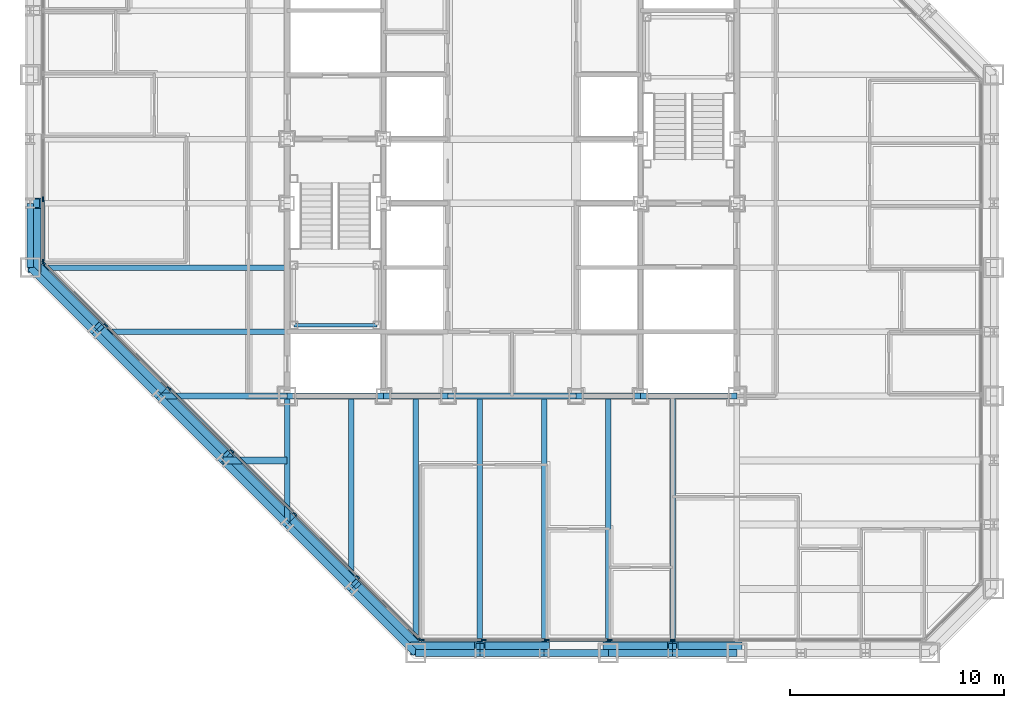
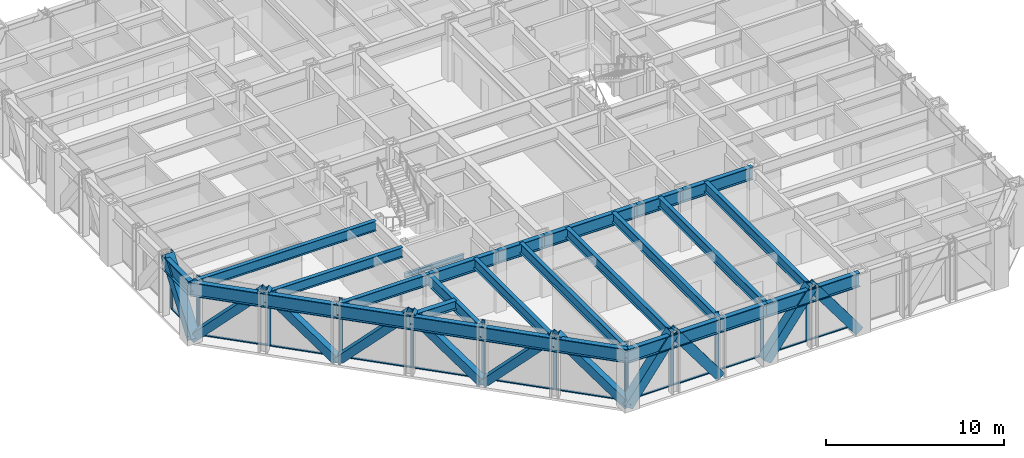
# One storey, part 4 of 16: 37 members, 29 beams, 3 elements without a shape of their own.
"""IFC4 building model written with IfcOpenShell, lengths in metres."""

from ifc_helpers import new_model, si_unit, direction, frame, origin, origin_2d, place, context, subcontext, project, spatial, rectangle, hollow_rectangle, i_section, extrude, material, layer, layer_set, material_profile, profile_set, type_object, element, aggregate, save


model = new_model("IFC4")

# Units and contexts
model_context = context("Model", 3, precision=1e-05, world=origin(), true_north=direction((0.0, 1.0)))
body_context = subcontext(model_context, "Body", "Model", "MODEL_VIEW")
ifc_project = project(units=[si_unit("LENGTHUNIT", "METRE"), si_unit("AREAUNIT", "SQUARE_METRE"), si_unit("VOLUMEUNIT", "CUBIC_METRE"), si_unit("PLANEANGLEUNIT", "RADIAN"), si_unit("MASSUNIT", "GRAM", prefix="KILO")], contexts=[model_context])

# Site, building, storey
site_placement = place(None, origin())
site = spatial("IfcSite", under=ifc_project, at=site_placement, CompositionType="ELEMENT")
building_placement = place(site_placement, origin())
building = spatial("IfcBuilding", under=site, at=building_placement, Name="Chuquiago Exchange Tower", CompositionType="ELEMENT")
storey_placement = place(building_placement, frame((0.0, 0.0, 123.60009765625)))
storey = spatial("IfcBuildingStorey", under=building, at=storey_placement, Name="L26", CompositionType="ELEMENT", Elevation=123.60009765625)

# Beams
ifc_material_1 = material(Name="Steel ASTM A992", Category="steel")
ifc_material_profile_1 = material_profile(ifc_material_1, i_section(OverallWidth=0.25390625, OverallDepth=0.683349609375, WebThickness=0.012451171875, FlangeThickness=0.018798828125, at=origin_2d()), Name="W27X94")
ifc_profile_set_1 = profile_set([ifc_material_profile_1], Name="Steel ASTM A992")
beam_type_1 = type_object("IfcBeamType", Name="B1 W27X94", PredefinedType="BEAM", material=ifc_profile_set_1)
beam_1_placement = place(storey_placement, frame((15.0, 12.0, 3.6982421875), z_axis=(0.0, -1.0, 0.0), x_axis=(1.0, 0.0, 0.0)))
element("IfcBeam", 1, at=beam_1_placement, inside=storey, type_object=beam_type_1, Name="FB-L27-infill-15_12-15_3-0", PredefinedType="BEAM", context=body_context, shape_type="SweptSolid", body=[
    extrude(i_section(OverallWidth=0.25390625, OverallDepth=0.683349609375, WebThickness=0.012451171875, FlangeThickness=0.018798828125, at=origin_2d()), origin(), (0.0, 0.0, 1.0), 9.0),
])
for number, where, z_axis, x_axis, name in (
    (2, (18.0, 12.0, 3.6982421875), (0.0, -1.0, 0.0), (1.0, 0.0, 0.0), "FB-L27-infill-18_12-18_-0-0"),
    (3, (21.0, 12.0, 3.6982421875), (0.0, -1.0, 0.0), (1.0, 0.0, 0.0), "FB-L27-infill-21_12-21_-0-0"),
    (4, (24.0, 12.0, 3.6982421875), (0.0, -1.0, 0.0), (1.0, 0.0, 0.0), "FB-L27-infill-24_12-24_-0-0"),
    (5, (27.0, 12.0, 3.6982421875), (0.0, -1.0, 0.0), (1.0, 0.0, 0.0), "FB-L27-infill-27_12-27_-0-0"),
    (6, (30.0, 12.0, 3.6982421875), (0.0, -1.0, 0.0), (1.0, 0.0, 0.0), "FB-L27-infill-30_12-30_-0-0"),
):
    element("IfcBeam", number, at=place(storey_placement, frame(where, z_axis=z_axis, x_axis=x_axis)), inside=storey, type_object=beam_type_1, Name=name, PredefinedType="BEAM", context=body_context, shape_type="SweptSolid", body=[
        extrude(i_section(OverallWidth=0.25390625, OverallDepth=0.683349609375, WebThickness=0.012451171875, FlangeThickness=0.018798828125, at=origin_2d()), origin(), (0.0, 0.0, 1.0), 12.0),
    ])
beam_2_placement = place(storey_placement, frame((12.0, 15.0, 3.6982421875), z_axis=(-1.0, 0.0, 0.0), x_axis=(0.0, -1.0, 0.0)))
element("IfcBeam", 7, at=beam_2_placement, inside=storey, type_object=beam_type_1, Name="FB-L27-infill-12_15-3_15-0", PredefinedType="BEAM", context=body_context, shape_type="SweptSolid", body=[
    extrude(i_section(OverallWidth=0.25390625, OverallDepth=0.683349609375, WebThickness=0.012451171875, FlangeThickness=0.018798828125, at=origin_2d()), origin(), (0.0, 0.0, 1.0), 9.0),
])
beam_3_placement = place(storey_placement, frame((12.0, 18.0, 3.6982421875), z_axis=(-1.0, 0.0, 0.0), x_axis=(0.0, -1.0, 0.0)))
element("IfcBeam", 8, at=beam_3_placement, inside=storey, type_object=beam_type_1, Name="FB-L27-infill-12_18--0_18-0", PredefinedType="BEAM", context=body_context, shape_type="SweptSolid", body=[
    extrude(i_section(OverallWidth=0.25390625, OverallDepth=0.683349609375, WebThickness=0.012451171875, FlangeThickness=0.018798828125, at=origin_2d()), origin(), (0.0, 0.0, 1.0), 12.0),
])
ifc_material_2 = material(Name="Steel ASTM A992", Category="steel")
ifc_material_profile_2 = material_profile(ifc_material_2, i_section(OverallWidth=0.3251953125, OverallDepth=0.612060546875, WebThickness=0.0126953125, FlangeThickness=0.01904296875, at=origin_2d()), Name="W24X104")
ifc_profile_set_2 = profile_set([ifc_material_profile_2], Name="Steel ASTM A992")
beam_type_2 = type_object("IfcBeamType", Name="B2 W24X104", PredefinedType="BEAM", material=ifc_profile_set_2)
beam_4_placement = place(storey_placement, frame((12.0, 9.0, 3.73388671875), z_axis=(-1.0, 0.0, 0.0), x_axis=(0.0, -1.0, 0.0)))
element("IfcBeam", 9, at=beam_4_placement, inside=storey, type_object=beam_type_2, Name="FB-L27-corner-12_9-9_9-0", PredefinedType="BEAM", context=body_context, shape_type="SweptSolid", body=[
    extrude(i_section(OverallWidth=0.3251953125, OverallDepth=0.612060546875, WebThickness=0.0126953125, FlangeThickness=0.01904296875, at=origin_2d()), origin(), (0.0, 0.0, 1.0), 3.0),
])
ifc_material_3 = material(Name="Steel ASTM A992", Category="steel")
ifc_material_profile_3 = material_profile(ifc_material_3, i_section(OverallWidth=0.2919921875, OverallDepth=0.8583984375, WebThickness=0.01708984375, FlangeThickness=0.031005859375, at=origin_2d()), Name="W33X169")
ifc_profile_set_3 = profile_set([ifc_material_profile_3], Name="Steel ASTM A992")
beam_type_3 = type_object("IfcBeamType", Name="B3 W33X169", PredefinedType="BEAM", material=ifc_profile_set_3)
beam_5_placement = place(storey_placement, frame((12.0, 12.0, 3.610595703125), z_axis=(1.0, 0.0, 0.0), x_axis=(0.0, 1.0, 0.0)))
element("IfcBeam", 10, at=beam_5_placement, inside=storey, type_object=beam_type_3, Name="CB-L27-12_12-16.5_12", PredefinedType="BEAM", context=body_context, shape_type="SweptSolid", body=[
    extrude(i_section(OverallWidth=0.2919921875, OverallDepth=0.8583984375, WebThickness=0.01708984375, FlangeThickness=0.031005859375, at=origin_2d()), origin(), (0.0, 0.0, 1.0), 4.5),
])
beam_6_placement = place(storey_placement, frame((16.5, 12.0, 3.610595703125), z_axis=(1.0, 0.0, 0.0), x_axis=(0.0, 1.0, 0.0)))
element("IfcBeam", 11, at=beam_6_placement, inside=storey, type_object=beam_type_3, Name="CB-L27-16.5_12-19.5_12", PredefinedType="BEAM", context=body_context, shape_type="SweptSolid", body=[
    extrude(i_section(OverallWidth=0.2919921875, OverallDepth=0.8583984375, WebThickness=0.01708984375, FlangeThickness=0.031005859375, at=origin_2d()), origin(), (0.0, 0.0, 1.0), 3.0),
])
beam_7_placement = place(storey_placement, frame((19.5, 12.0, 3.610595703125), z_axis=(1.0, 0.0, 0.0), x_axis=(0.0, 1.0, 0.0)))
element("IfcBeam", 12, at=beam_7_placement, inside=storey, type_object=beam_type_3, Name="CB-L27-19.5_12-25.5_12", PredefinedType="BEAM", context=body_context, shape_type="SweptSolid", body=[
    extrude(i_section(OverallWidth=0.2919921875, OverallDepth=0.8583984375, WebThickness=0.01708984375, FlangeThickness=0.031005859375, at=origin_2d()), origin(), (0.0, 0.0, 1.0), 6.0),
])
beam_8_placement = place(storey_placement, frame((25.5, 12.0, 3.610595703125), z_axis=(1.0, 0.0, 0.0), x_axis=(0.0, 1.0, 0.0)))
element("IfcBeam", 13, at=beam_8_placement, inside=storey, type_object=beam_type_3, Name="CB-L27-25.5_12-28.5_12", PredefinedType="BEAM", context=body_context, shape_type="SweptSolid", body=[
    extrude(i_section(OverallWidth=0.2919921875, OverallDepth=0.8583984375, WebThickness=0.01708984375, FlangeThickness=0.031005859375, at=origin_2d()), origin(), (0.0, 0.0, 1.0), 3.0),
])
beam_9_placement = place(storey_placement, frame((28.5, 12.0, 3.610595703125), z_axis=(1.0, 0.0, 0.0), x_axis=(0.0, 1.0, 0.0)))
element("IfcBeam", 14, at=beam_9_placement, inside=storey, type_object=beam_type_3, Name="CB-L27-28.5_12-33_12", PredefinedType="BEAM", context=body_context, shape_type="SweptSolid", body=[
    extrude(i_section(OverallWidth=0.2919921875, OverallDepth=0.8583984375, WebThickness=0.01708984375, FlangeThickness=0.031005859375, at=origin_2d()), origin(), (0.0, 0.0, 1.0), 4.5),
])

# Curtain wall, members
ifc_material_4 = material(Name="Aluminium curtain wall system", Category="aluminium")
ifc_layer_1 = layer(ifc_material_4, 0.22509765625)
ifc_layer_set_1 = layer_set([ifc_layer_1], Name="CW2 office curtain wall")
curtain_wall_type_1 = type_object("IfcCurtainWallType", Name="CW2 office curtain wall", PredefinedType="NOTDEFINED", material=ifc_layer_set_1)
curtain_wall_1_placement = place(storey_placement, origin())
curtain_wall_1 = element("IfcCurtainWall", 15, at=curtain_wall_1_placement, inside=storey, type_object=curtain_wall_type_1, Name="CW2 curtain wall L26", PredefinedType="NOTDEFINED")
ifc_material_5 = material(Name="Aluminium mullion, pale anodised", Category="aluminium")
ifc_material_profile_4 = material_profile(ifc_material_5, rectangle(XDim=0.06494140625, YDim=0.22509765625, at=origin_2d()), Name="AL 65x225")
ifc_profile_set_4 = profile_set([ifc_material_profile_4], Name="Aluminium mullion, pale anodised")
member_type_1 = type_object("IfcMemberType", Name="CW2-M mullion 65x225", PredefinedType="MULLION", material=ifc_profile_set_4)
member_1_placement = place(storey_placement, frame((18.281005859375, 0.60009765625, 0.0), z_axis=(0.0, 0.0, 1.0), x_axis=(0.0, 1.0, 0.0)))
member_1 = element("IfcMember", 16, at=member_1_placement, type_object=member_type_1, Name="CW2 mullion 1", PredefinedType="MULLION", context=body_context, shape_type="SweptSolid", body=[
    extrude(rectangle(XDim=0.06494140625, YDim=0.22509765625, at=origin_2d()), origin(), (0.0, 0.0, 1.0), 4.039794921875),
])
member_2_placement = place(storey_placement, frame((21.186279296875, 0.60009765625, 0.0), z_axis=(0.0, 0.0, 1.0), x_axis=(0.0, 1.0, 0.0)))
member_2 = element("IfcMember", 17, at=member_2_placement, type_object=member_type_1, Name="CW2 mullion 2", PredefinedType="MULLION", context=body_context, shape_type="SweptSolid", body=[
    extrude(rectangle(XDim=0.06494140625, YDim=0.22509765625, at=origin_2d()), origin(), (0.0, 0.0, 1.0), 4.039794921875),
])
member_3_placement = place(storey_placement, frame((24.124267578125, 0.60009765625, 0.0), z_axis=(0.0, 0.0, 1.0), x_axis=(0.0, 1.0, 0.0)))
member_3 = element("IfcMember", 18, at=member_3_placement, type_object=member_type_1, Name="CW2 mullion 3", PredefinedType="MULLION", context=body_context, shape_type="SweptSolid", body=[
    extrude(rectangle(XDim=0.06494140625, YDim=0.22509765625, at=origin_2d()), origin(), (0.0, 0.0, 1.0), 4.039794921875),
])
member_4_placement = place(storey_placement, frame((27.06201171875, 0.60009765625, 0.0), z_axis=(0.0, 0.0, 1.0), x_axis=(0.0, 1.0, 0.0)))
member_4 = element("IfcMember", 19, at=member_4_placement, type_object=member_type_1, Name="CW2 mullion 4", PredefinedType="MULLION", context=body_context, shape_type="SweptSolid", body=[
    extrude(rectangle(XDim=0.06494140625, YDim=0.22509765625, at=origin_2d()), origin(), (0.0, 0.0, 1.0), 4.039794921875),
])
member_5_placement = place(storey_placement, frame((30.0, 0.60009765625, 0.0), z_axis=(0.0, 0.0, 1.0), x_axis=(0.0, 1.0, 0.0)))
member_5 = element("IfcMember", 20, at=member_5_placement, type_object=member_type_1, Name="CW2 mullion 5", PredefinedType="MULLION", context=body_context, shape_type="SweptSolid", body=[
    extrude(rectangle(XDim=0.06494140625, YDim=0.22509765625, at=origin_2d()), origin(), (0.0, 0.0, 1.0), 4.039794921875),
])

curtain_wall_2_placement = place(storey_placement, origin())
curtain_wall_2 = element("IfcCurtainWall", 21, at=curtain_wall_2_placement, inside=storey, type_object=curtain_wall_type_1, Name="CW2 curtain wall L26", PredefinedType="NOTDEFINED")
member_6_placement = place(storey_placement, frame((0.60009765625, 21.186279296875, 0.0), z_axis=(0.0, 0.0, 1.0), x_axis=(1.0, 0.0, 0.0)))
member_6 = element("IfcMember", 22, at=member_6_placement, type_object=member_type_1, Name="CW2 mullion 8", PredefinedType="MULLION", context=body_context, shape_type="SweptSolid", body=[
    extrude(rectangle(XDim=0.06494140625, YDim=0.22509765625, at=origin_2d()), origin(), (0.0, 0.0, 1.0), 4.039794921875),
])
member_7_placement = place(storey_placement, frame((0.60009765625, 18.281005859375, 0.0), z_axis=(0.0, 0.0, 1.0), x_axis=(1.0, 0.0, 0.0)))
member_7 = element("IfcMember", 23, at=member_7_placement, type_object=member_type_1, Name="CW2 mullion 9", PredefinedType="MULLION", context=body_context, shape_type="SweptSolid", body=[
    extrude(rectangle(XDim=0.06494140625, YDim=0.22509765625, at=origin_2d()), origin(), (0.0, 0.0, 1.0), 4.039794921875),
])

# Member
ifc_material_6 = material(Name="Aluminium transom, pale anodised", Category="aluminium")
ifc_material_profile_5 = material_profile(ifc_material_6, rectangle(XDim=0.139892578125, YDim=0.06494140625, at=origin_2d()), Name="AL 140x65")
ifc_profile_set_5 = profile_set([ifc_material_profile_5], Name="Aluminium transom, pale anodised")
member_type_2 = type_object("IfcMemberType", Name="CW2-T transom 65x140", PredefinedType="MULLION", material=ifc_profile_set_5)
member_8_placement = place(storey_placement, frame((18.3134765625, 0.60009765625, 0.032470703125), z_axis=(1.0, 0.0, 0.0), x_axis=(0.0, 1.0, 0.0)))
member_8 = element("IfcMember", 24, at=member_8_placement, type_object=member_type_2, Name="CW2 transom 1.1", PredefinedType="MULLION", context=body_context, shape_type="SweptSolid", body=[
    extrude(rectangle(XDim=0.139892578125, YDim=0.06494140625, at=origin_2d()), origin(), (0.0, 0.0, 1.0), 2.84033203125),
])

member_9_placement = place(storey_placement, frame((21.218994140625, 0.60009765625, 0.032470703125), z_axis=(1.0, 0.0, 0.0), x_axis=(0.0, 1.0, 0.0)))
member_9 = element("IfcMember", 25, at=member_9_placement, type_object=member_type_2, Name="CW2 transom 2.1", PredefinedType="MULLION", context=body_context, shape_type="SweptSolid", body=[
    extrude(rectangle(XDim=0.139892578125, YDim=0.06494140625, at=origin_2d()), origin(), (0.0, 0.0, 1.0), 2.872802734375),
])

member_10_placement = place(storey_placement, frame((24.15673828125, 0.60009765625, 0.032470703125), z_axis=(1.0, 0.0, 0.0), x_axis=(0.0, 1.0, 0.0)))
member_10 = element("IfcMember", 26, at=member_10_placement, type_object=member_type_2, Name="CW2 transom 3.1", PredefinedType="MULLION", context=body_context, shape_type="SweptSolid", body=[
    extrude(rectangle(XDim=0.139892578125, YDim=0.06494140625, at=origin_2d()), origin(), (0.0, 0.0, 1.0), 2.872802734375),
])

member_11_placement = place(storey_placement, frame((27.0947265625, 0.60009765625, 0.032470703125), z_axis=(1.0, 0.0, 0.0), x_axis=(0.0, 1.0, 0.0)))
member_11 = element("IfcMember", 27, at=member_11_placement, type_object=member_type_2, Name="CW2 transom 4.1", PredefinedType="MULLION", context=body_context, shape_type="SweptSolid", body=[
    extrude(rectangle(XDim=0.139892578125, YDim=0.06494140625, at=origin_2d()), origin(), (0.0, 0.0, 1.0), 2.872802734375),
])

member_12_placement = place(storey_placement, frame((30.032470703125, 0.60009765625, 0.032470703125), z_axis=(1.0, 0.0, 0.0), x_axis=(0.0, 1.0, 0.0)))
member_12 = element("IfcMember", 28, at=member_12_placement, type_object=member_type_2, Name="CW2 transom 5.1", PredefinedType="MULLION", context=body_context, shape_type="SweptSolid", body=[
    extrude(rectangle(XDim=0.139892578125, YDim=0.06494140625, at=origin_2d()), origin(), (0.0, 0.0, 1.0), 2.872802734375),
])

aggregate(curtain_wall_1, [member_1, member_2, member_3, member_4, member_5, member_8, member_9, member_10, member_11, member_12])

member_13_placement = place(storey_placement, frame((0.60009765625, 21.15380859375, 0.032470703125), z_axis=(0.0, -1.0, 0.0), x_axis=(1.0, 0.0, 0.0)))
member_13 = element("IfcMember", 29, at=member_13_placement, type_object=member_type_2, Name="CW2 transom 8.1", PredefinedType="MULLION", context=body_context, shape_type="SweptSolid", body=[
    extrude(rectangle(XDim=0.139892578125, YDim=0.06494140625, at=origin_2d()), origin(), (0.0, 0.0, 1.0), 2.84033203125),
])

aggregate(curtain_wall_2, [member_6, member_7, member_13])

# Curtain wall, members
ifc_material_7 = material(Name="Aluminium curtain wall system", Category="aluminium")
ifc_layer_2 = layer(ifc_material_7, 0.199951171875)
ifc_layer_set_2 = layer_set([ifc_layer_2], Name="CW3 facet curtain wall")
curtain_wall_type_2 = type_object("IfcCurtainWallType", Name="CW3 facet curtain wall", PredefinedType="NOTDEFINED", material=ifc_layer_set_2)
curtain_wall_3_placement = place(storey_placement, origin())
curtain_wall_3 = element("IfcCurtainWall", 30, at=curtain_wall_3_placement, inside=storey, type_object=curtain_wall_type_2, Name="CW3 curtain wall L26", PredefinedType="NOTDEFINED")
ifc_material_8 = material(Name="Aluminium mullion, pale anodised", Category="aluminium")
ifc_material_profile_6 = material_profile(ifc_material_8, rectangle(XDim=0.06494140625, YDim=0.199951171875, at=origin_2d()), Name="AL 65x200")
ifc_profile_set_6 = profile_set([ifc_material_profile_6], Name="Aluminium mullion, pale anodised")
member_type_3 = type_object("IfcMemberType", Name="CW3-M mullion 65x200", PredefinedType="MULLION", material=ifc_profile_set_6)
member_14_placement = place(storey_placement, frame((0.623046875, 18.2255859375, 0.0), z_axis=(0.0, 0.0, 1.0), x_axis=(0.707106781187, 0.707106781187, 0.0)))
member_14 = element("IfcMember", 31, at=member_14_placement, type_object=member_type_3, Name="CW3 mullion 1", PredefinedType="MULLION", context=body_context, shape_type="SweptSolid", body=[
    extrude(rectangle(XDim=0.06494140625, YDim=0.199951171875, at=origin_2d()), origin(), (0.0, 0.0, 1.0), 4.039794921875),
])
member_15_placement = place(storey_placement, frame((3.54150390625, 15.30712890625, 0.0), z_axis=(0.0, 0.0, 1.0), x_axis=(0.707106781187, 0.707106781187, 0.0)))
member_15 = element("IfcMember", 32, at=member_15_placement, type_object=member_type_3, Name="CW3 mullion 2", PredefinedType="MULLION", context=body_context, shape_type="SweptSolid", body=[
    extrude(rectangle(XDim=0.06494140625, YDim=0.199951171875, at=origin_2d()), origin(), (0.0, 0.0, 1.0), 4.039794921875),
])
member_16_placement = place(storey_placement, frame((6.48291015625, 12.36572265625, 0.0), z_axis=(0.0, 0.0, 1.0), x_axis=(0.707106781187, 0.707106781187, 0.0)))
member_16 = element("IfcMember", 33, at=member_16_placement, type_object=member_type_3, Name="CW3 mullion 3", PredefinedType="MULLION", context=body_context, shape_type="SweptSolid", body=[
    extrude(rectangle(XDim=0.06494140625, YDim=0.199951171875, at=origin_2d()), origin(), (0.0, 0.0, 1.0), 4.039794921875),
])
member_17_placement = place(storey_placement, frame((9.42431640625, 9.42431640625, 0.0), z_axis=(0.0, 0.0, 1.0), x_axis=(0.707106781187, 0.707106781187, 0.0)))
member_17 = element("IfcMember", 34, at=member_17_placement, type_object=member_type_3, Name="CW3 mullion 4", PredefinedType="MULLION", context=body_context, shape_type="SweptSolid", body=[
    extrude(rectangle(XDim=0.06494140625, YDim=0.199951171875, at=origin_2d()), origin(), (0.0, 0.0, 1.0), 4.039794921875),
])
member_18_placement = place(storey_placement, frame((12.36572265625, 6.48291015625, 0.0), z_axis=(0.0, 0.0, 1.0), x_axis=(0.707106781187, 0.707106781187, 0.0)))
member_18 = element("IfcMember", 35, at=member_18_placement, type_object=member_type_3, Name="CW3 mullion 5", PredefinedType="MULLION", context=body_context, shape_type="SweptSolid", body=[
    extrude(rectangle(XDim=0.06494140625, YDim=0.199951171875, at=origin_2d()), origin(), (0.0, 0.0, 1.0), 4.039794921875),
])
member_19_placement = place(storey_placement, frame((15.30712890625, 3.54150390625, 0.0), z_axis=(0.0, 0.0, 1.0), x_axis=(0.707106781187, 0.707106781187, 0.0)))
member_19 = element("IfcMember", 36, at=member_19_placement, type_object=member_type_3, Name="CW3 mullion 6", PredefinedType="MULLION", context=body_context, shape_type="SweptSolid", body=[
    extrude(rectangle(XDim=0.06494140625, YDim=0.199951171875, at=origin_2d()), origin(), (0.0, 0.0, 1.0), 4.039794921875),
])
member_20_placement = place(storey_placement, frame((18.2255859375, 0.623046875, 0.0), z_axis=(0.0, 0.0, 1.0), x_axis=(0.707106781187, 0.707106781187, 0.0)))
member_20 = element("IfcMember", 37, at=member_20_placement, type_object=member_type_3, Name="CW3 mullion 7", PredefinedType="MULLION", context=body_context, shape_type="SweptSolid", body=[
    extrude(rectangle(XDim=0.06494140625, YDim=0.199951171875, at=origin_2d()), origin(), (0.0, 0.0, 1.0), 4.039794921875),
])
ifc_material_9 = material(Name="Aluminium transom, pale anodised", Category="aluminium")
ifc_material_profile_7 = material_profile(ifc_material_9, rectangle(XDim=0.139892578125, YDim=0.06494140625, at=origin_2d()), Name="AL 140x65")
ifc_profile_set_7 = profile_set([ifc_material_profile_7], Name="Aluminium transom, pale anodised")
member_type_4 = type_object("IfcMemberType", Name="CW3-T transom 65x140", PredefinedType="MULLION", material=ifc_profile_set_7)
member_21_placement = place(storey_placement, frame((0.64599609375, 18.20263671875, 0.032470703125), z_axis=(0.707106781187, -0.707106781187, 0.0), x_axis=(0.707106781187, 0.707106781187, 0.0)))
member_21 = element("IfcMember", 38, at=member_21_placement, type_object=member_type_4, Name="CW3 transom 1.1", PredefinedType="MULLION", context=body_context, shape_type="SweptSolid", body=[
    extrude(rectangle(XDim=0.139892578125, YDim=0.06494140625, at=origin_2d()), origin(), (0.0, 0.0, 1.0), 4.0625),
])
member_22_placement = place(storey_placement, frame((3.564453125, 15.2841796875, 0.032470703125), z_axis=(0.707106781187, -0.707106781187, 0.0), x_axis=(0.707106781187, 0.707106781187, 0.0)))
member_22 = element("IfcMember", 39, at=member_22_placement, type_object=member_type_4, Name="CW3 transom 2.1", PredefinedType="MULLION", context=body_context, shape_type="SweptSolid", body=[
    extrude(rectangle(XDim=0.139892578125, YDim=0.06494140625, at=origin_2d()), origin(), (0.0, 0.0, 1.0), 4.094970703125),
])
member_23_placement = place(storey_placement, frame((6.505859375, 12.3427734375, 0.032470703125), z_axis=(0.707106781187, -0.707106781187, 0.0), x_axis=(0.707106781187, 0.707106781187, 0.0)))
member_23 = element("IfcMember", 40, at=member_23_placement, type_object=member_type_4, Name="CW3 transom 3.1", PredefinedType="MULLION", context=body_context, shape_type="SweptSolid", body=[
    extrude(rectangle(XDim=0.139892578125, YDim=0.06494140625, at=origin_2d()), origin(), (0.0, 0.0, 1.0), 4.094970703125),
])
member_24_placement = place(storey_placement, frame((9.447265625, 9.4013671875, 0.032470703125), z_axis=(0.707106781187, -0.707106781187, 0.0), x_axis=(0.707106781187, 0.707106781187, 0.0)))
member_24 = element("IfcMember", 41, at=member_24_placement, type_object=member_type_4, Name="CW3 transom 4.1", PredefinedType="MULLION", context=body_context, shape_type="SweptSolid", body=[
    extrude(rectangle(XDim=0.139892578125, YDim=0.06494140625, at=origin_2d()), origin(), (0.0, 0.0, 1.0), 4.094970703125),
])
member_25_placement = place(storey_placement, frame((12.388671875, 6.4599609375, 0.032470703125), z_axis=(0.707106781187, -0.707106781187, 0.0), x_axis=(0.707106781187, 0.707106781187, 0.0)))
member_25 = element("IfcMember", 42, at=member_25_placement, type_object=member_type_4, Name="CW3 transom 5.1", PredefinedType="MULLION", context=body_context, shape_type="SweptSolid", body=[
    extrude(rectangle(XDim=0.139892578125, YDim=0.06494140625, at=origin_2d()), origin(), (0.0, 0.0, 1.0), 4.094970703125),
])
member_26_placement = place(storey_placement, frame((15.330078125, 3.5185546875, 0.032470703125), z_axis=(0.707106781187, -0.707106781187, 0.0), x_axis=(0.707106781187, 0.707106781187, 0.0)))
member_26 = element("IfcMember", 43, at=member_26_placement, type_object=member_type_4, Name="CW3 transom 6.1", PredefinedType="MULLION", context=body_context, shape_type="SweptSolid", body=[
    extrude(rectangle(XDim=0.139892578125, YDim=0.06494140625, at=origin_2d()), origin(), (0.0, 0.0, 1.0), 4.0625),
])
aggregate(curtain_wall_3, [member_14, member_15, member_16, member_17, member_18, member_19, member_20, member_21, member_22, member_23, member_24, member_25, member_26])

# Beams
ifc_material_10 = material(Name="Steel ASTM A992", Category="steel")
ifc_material_profile_8 = material_profile(ifc_material_10, i_section(OverallWidth=0.2666015625, OverallDepth=0.76953125, WebThickness=0.015625, FlangeThickness=0.025390625, at=origin_2d()), Name="W30X132")
ifc_profile_set_8 = profile_set([ifc_material_profile_8], Name="Steel ASTM A992")
beam_type_4 = type_object("IfcBeamType", Name="G1 W30X132", PredefinedType="BEAM", material=ifc_profile_set_8)
for number, where, z_axis, x_axis, name in (
    (44, (12.0, 12.0, 3.655029296875), (0.0, -1.0, 0.0), (1.0, 0.0, 0.0), "FB-L27-girder-12_12-12_6-0"),
    (45, (12.0, 12.0, 3.655029296875), (-1.0, 0.0, 0.0), (0.0, -1.0, 0.0), "FB-L27-girder-12_12-6_12-0"),
):
    element("IfcBeam", number, at=place(storey_placement, frame(where, z_axis=z_axis, x_axis=x_axis)), inside=storey, type_object=beam_type_4, Name=name, PredefinedType="BEAM", context=body_context, shape_type="SweptSolid", body=[
        extrude(i_section(OverallWidth=0.2666015625, OverallDepth=0.76953125, WebThickness=0.015625, FlangeThickness=0.025390625, at=origin_2d()), origin(), (0.0, 0.0, 1.0), 6.0),
    ])

# Members
ifc_material_11 = material(Name="Steel ASTM A500 Grade C", Category="steel")
ifc_material_profile_9 = material_profile(ifc_material_11, hollow_rectangle(XDim=0.508056640625, YDim=0.508056640625, WallThickness=0.017822265625, at=origin_2d()), Name="HSS20X20X3/4")
ifc_profile_set_9 = profile_set([ifc_material_profile_9], Name="Steel ASTM A500 Grade C")
member_type_5 = type_object("IfcMemberType", Name="LB1 HSS20X20X3/4", PredefinedType="BRACE", material=ifc_profile_set_9)
for number, where, z_axis, x_axis, name in (
    (46, (0.177490234375, 18.177490234375, 0.0), (0.51209198167, -0.51209198167, 0.689582195694), (0.707106781187, 0.707106781187, 0.0), "LB-L26-0_18-3_15"),
    (47, (6.177490234375, 12.177490234375, 0.0), (-0.51209198167, 0.51209198167, 0.689582195694), (-0.707106781187, -0.707106781187, 0.0), "LB-L26-3_15-6_12"),
    (48, (6.177490234375, 12.177490234375, 0.0), (0.51209198167, -0.51209198167, 0.689582195694), (0.707106781187, 0.707106781187, 0.0), "LB-L26-6_12-9_9"),
    (49, (12.177490234375, 6.177490234375, 0.0), (-0.51209198167, 0.51209198167, 0.689582195694), (-0.707106781187, -0.707106781187, 0.0), "LB-L26-9_9-12_6"),
    (50, (12.177490234375, 6.177490234375, 0.0), (0.51209198167, -0.51209198167, 0.689582195694), (0.707106781187, 0.707106781187, 0.0), "LB-L26-12_6-15_3"),
    (51, (18.177490234375, 0.177490234375, 0.0), (-0.51209198167, 0.51209198167, 0.689582195694), (-0.707106781187, -0.707106781187, 0.0), "LB-L26-15_3-18_0"),
):
    element("IfcMember", number, at=place(storey_placement, frame(where, z_axis=z_axis, x_axis=x_axis)), inside=storey, type_object=member_type_5, Name=name, PredefinedType="BRACE", context=body_context, shape_type="SweptSolid", body=[
        extrude(hollow_rectangle(XDim=0.508056640625, YDim=0.508056640625, WallThickness=0.017822265625, at=origin_2d()), origin(), (0.0, 0.0, 1.0), 5.8583984375),
    ])

# Beam
ifc_material_12 = material(Name="Steel ASTM A992", Category="steel")
ifc_material_profile_10 = material_profile(ifc_material_12, i_section(OverallWidth=0.164794921875, OverallDepth=0.309814453125, WebThickness=0.005859375, FlangeThickness=0.009765625, at=origin_2d()), Name="W12X26")
ifc_profile_set_10 = profile_set([ifc_material_profile_10], Name="Steel ASTM A992")
beam_type_5 = type_object("IfcBeamType", Name="LT1 W12X26", PredefinedType="BEAM", material=ifc_profile_set_10)
beam_10_placement = place(storey_placement, frame((12.31005859375, 15.31005859375, 1.7451171875), z_axis=(1.0, 0.0, 0.0), x_axis=(0.0, 1.0, 0.0)))
element("IfcBeam", 52, at=beam_10_placement, inside=storey, type_object=beam_type_5, Name="Stair ST1 L26 landing 1 trimmer", PredefinedType="BEAM", context=body_context, shape_type="SweptSolid", body=[
    extrude(i_section(OverallWidth=0.164794921875, OverallDepth=0.309814453125, WebThickness=0.005859375, FlangeThickness=0.009765625, at=origin_2d()), origin(), (0.0, 0.0, 1.0), 3.8798828125),
])

# Members
ifc_material_13 = material(Name="Steel ASTM A572 Grade 50", Category="steel")
ifc_material_profile_11 = material_profile(ifc_material_13, hollow_rectangle(XDim=0.60009765625, YDim=0.60009765625, WallThickness=0.06005859375, at=origin_2d()), Name="BOX600X600X60")
ifc_profile_set_11 = profile_set([ifc_material_profile_11], Name="Steel ASTM A572 Grade 50")
member_type_6 = type_object("IfcMemberType", Name="MB2 BOX600X600X60", PredefinedType="BRACE", material=ifc_profile_set_11)
for number, where, z_axis, x_axis, name in (
    (53, (18.0, 0.205078125, 0.0), (0.596197146086, 0.0, 0.802838067732), (0.0, 1.0, 0.0), "Mega diagonal L26 S face"),
    (54, (24.0, 0.205078125, 0.0), (-0.596197146086, 0.0, 0.802838067732), (0.0, -1.0, 0.0), "Mega diagonal L26 S face"),
    (55, (27.0, 0.205078125, 0.0), (0.596197146086, 0.0, 0.802838067732), (0.0, 1.0, 0.0), "Mega diagonal L26 S face"),
    (56, (33.0, 0.205078125, 0.0), (-0.596197146086, 0.0, 0.802838067732), (0.0, -1.0, 0.0), "Mega diagonal L26 S face"),
    (57, (0.205078125, 18.0, 0.0), (0.0, 0.596197146086, 0.802838067732), (-1.0, 0.0, 0.0), "Mega diagonal L26 W face"),
):
    element("IfcMember", number, at=place(storey_placement, frame(where, z_axis=z_axis, x_axis=x_axis)), inside=storey, type_object=member_type_6, Name=name, PredefinedType="BRACE", context=body_context, shape_type="SweptSolid", body=[
        extrude(hollow_rectangle(XDim=0.60009765625, YDim=0.60009765625, WallThickness=0.06005859375, at=origin_2d()), origin(), (0.0, 0.0, 1.0), 5.031982421875),
    ])

# Beams
ifc_material_14 = material(Name="Steel ASTM A992", Category="steel")
ifc_material_profile_12 = material_profile(ifc_material_14, i_section(OverallWidth=0.309814453125, OverallDepth=0.949951171875, WebThickness=0.0244140625, FlangeThickness=0.0439453125, at=origin_2d()), Name="W36X256")
ifc_profile_set_12 = profile_set([ifc_material_profile_12], Name="Steel ASTM A992")
beam_type_6 = type_object("IfcBeamType", Name="SP2 W36X256", PredefinedType="SPANDREL", material=ifc_profile_set_12)
for number, where, z_axis, x_axis, name in (
    (58, (18.0, 0.0, 3.56494140625), (1.0, 0.0, 0.0), (0.0, 1.0, 0.0), "SPB-L27-18_0-21_0"),
    (59, (21.0, 0.0, 3.56494140625), (1.0, 0.0, 0.0), (0.0, 1.0, 0.0), "SPB-L27-21_0-24_0"),
    (60, (24.0, 0.0, 3.56494140625), (1.0, 0.0, 0.0), (0.0, 1.0, 0.0), "SPB-L27-24_0-27_0"),
    (61, (27.0, 0.0, 3.56494140625), (1.0, 0.0, 0.0), (0.0, 1.0, 0.0), "SPB-L27-27_0-30_0"),
    (62, (30.0, 0.0, 3.56494140625), (1.0, 0.0, 0.0), (0.0, 1.0, 0.0), "SPB-L27-30_0-33_0"),
    (63, (0.0, 21.0, 3.56494140625), (0.0, -1.0, 0.0), (1.0, 0.0, 0.0), "SPB-L27-0_21-0_18"),
):
    element("IfcBeam", number, at=place(storey_placement, frame(where, z_axis=z_axis, x_axis=x_axis)), inside=storey, type_object=beam_type_6, Name=name, PredefinedType="SPANDREL", context=body_context, shape_type="SweptSolid", body=[
        extrude(i_section(OverallWidth=0.309814453125, OverallDepth=0.949951171875, WebThickness=0.0244140625, FlangeThickness=0.0439453125, at=origin_2d()), origin(), (0.0, 0.0, 1.0), 3.0),
    ])
for number, where, z_axis, x_axis, name in (
    (64, (0.0, 18.0, 3.56494140625), (0.707106781187, -0.707106781187, 0.0), (0.707106781187, 0.707106781187, 0.0), "SPB-L27-0_18-3_15"),
    (65, (3.0, 15.0, 3.56494140625), (0.707106781187, -0.707106781187, 0.0), (0.707106781187, 0.707106781187, 0.0), "SPB-L27-3_15-6_12"),
    (66, (6.0, 12.0, 3.56494140625), (0.707106781187, -0.707106781187, 0.0), (0.707106781187, 0.707106781187, 0.0), "SPB-L27-6_12-9_9"),
    (67, (9.0, 9.0, 3.56494140625), (0.707106781187, -0.707106781187, 0.0), (0.707106781187, 0.707106781187, 0.0), "SPB-L27-9_9-12_6"),
    (68, (12.0, 6.0, 3.56494140625), (0.707106781187, -0.707106781187, 0.0), (0.707106781187, 0.707106781187, 0.0), "SPB-L27-12_6-15_3"),
    (69, (15.0, 3.0, 3.56494140625), (0.707106781187, -0.707106781187, 0.0), (0.707106781187, 0.707106781187, 0.0), "SPB-L27-15_3-18_0"),
):
    element("IfcBeam", number, at=place(storey_placement, frame(where, z_axis=z_axis, x_axis=x_axis)), inside=storey, type_object=beam_type_6, Name=name, PredefinedType="SPANDREL", context=body_context, shape_type="SweptSolid", body=[
        extrude(i_section(OverallWidth=0.309814453125, OverallDepth=0.949951171875, WebThickness=0.0244140625, FlangeThickness=0.0439453125, at=origin_2d()), origin(), (0.0, 0.0, 1.0), 4.24267578125),
    ])

save(model, "model.ifc")
